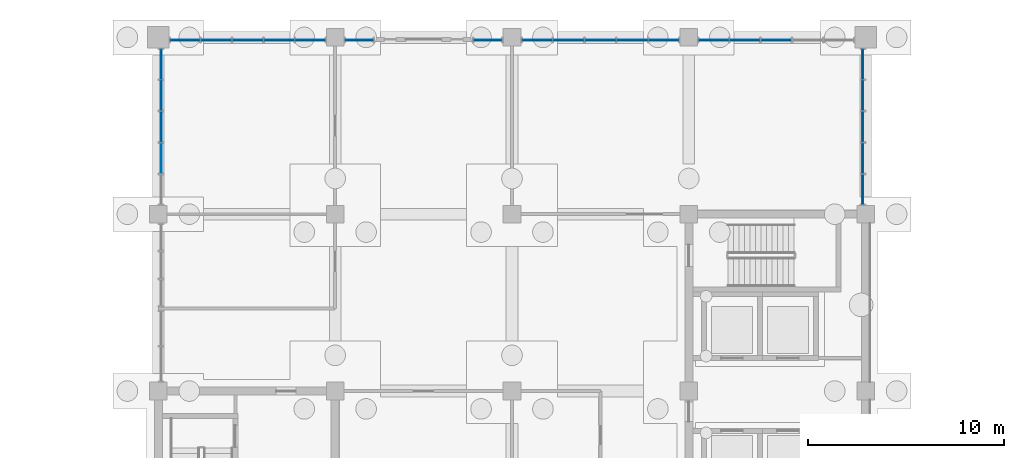
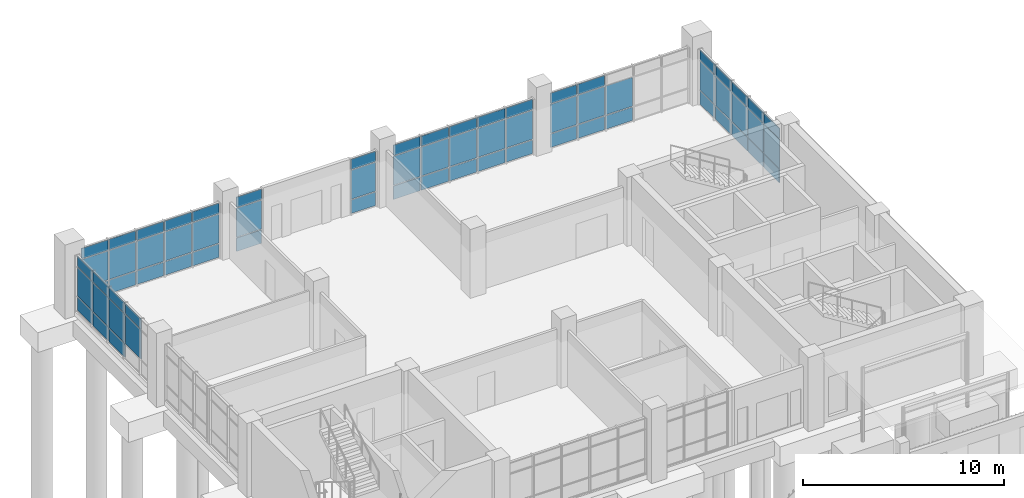
# One storey, part 63 of 106: 70 plates, 7 elements without a shape of their own.
"""IFC4 building model written with IfcOpenShell, lengths in metres."""

import ifcopenshell
import ifcopenshell.guid

model = None  # the IFC model being written
_history = None  # IfcOwnerHistory: only IFC2X3 demands one
_inside = {}  # id of a spatial element -> (the spatial element, [elements in it])
_under = {}  # id of a project, library or spatial element -> (it, [spatial elements below it])
_declared = {}  # id of a project -> (the project, [libraries it declares])
_typed = {}  # id of a type object -> (the type object, [elements of that type])
_made_of = {}  # id of a material, layer set ... -> (it, [elements and type objects made of it])


def new_model(schema):
    """Start an empty IFC model of exactly this schema.

    Asked for "IFC4X3", IfcOpenShell would pick the latest addendum, in which some entities
    have other attributes; the version numbers below select the first issue.
    IFC2X3 requires an IfcOwnerHistory on every rooted entity: one is made here for all.
    """
    global model, _history
    if schema == "IFC4X3":
        model = ifcopenshell.file(schema_version=(4, 3, 0, 0))
    else:
        model = ifcopenshell.file(schema=schema)
    _inside.clear()
    _under.clear()
    _declared.clear()
    _typed.clear()
    _made_of.clear()
    _history = None
    if model.schema == "IFC2X3":
        org = make("IfcOrganization", Name="unknown")
        user = make(
            "IfcPersonAndOrganization",
            ThePerson=make("IfcPerson", FamilyName="unknown"),
            TheOrganization=org,
        )
        app = make(
            "IfcApplication",
            ApplicationDeveloper=org,
            Version="unknown",
            ApplicationFullName="unknown",
            ApplicationIdentifier="unknown",
        )
        _history = make(
            "IfcOwnerHistory",
            OwningUser=user,
            OwningApplication=app,
            ChangeAction="ADDED",
            CreationDate=0,
        )
    return model


def make(cls, **values):
    """One entity of the class cls with the attributes given. An attribute that is None is left unset."""
    return model.create_entity(
        cls, **{name: value for name, value in values.items() if value is not None}
    )


def rooted(cls, **values):
    """An entity with a GlobalId (a new one), such as an element, a storey or a relation."""
    return make(cls, GlobalId=ifcopenshell.guid.new(), OwnerHistory=_history, **values)


def si_unit(unit_type, name, prefix=None):
    """IfcSIUnit, for example si_unit("LENGTHUNIT", "METRE", prefix="MILLI")."""
    return make("IfcSIUnit", UnitType=unit_type, Prefix=prefix, Name=name)


def assignment(units):
    """IfcUnitAssignment: the units of a project."""
    return None if units is None else make("IfcUnitAssignment", Units=units)


def point(xyz):
    """IfcCartesianPoint."""
    return None if xyz is None else make("IfcCartesianPoint", Coordinates=xyz)


def direction(xyz):
    """IfcDirection."""
    return None if xyz is None else make("IfcDirection", DirectionRatios=xyz)


def frame(location, z_axis=None, x_axis=None):
    """IfcAxis2Placement3D, a coordinate frame: its origin and axes. An axis left out is left unset."""
    return make(
        "IfcAxis2Placement3D",
        Location=point(location),
        Axis=direction(z_axis),
        RefDirection=direction(x_axis),
    )


def frame_2d(location, x_axis=None):
    """IfcAxis2Placement2D, a coordinate frame in the plane: its origin and x axis."""
    return make(
        "IfcAxis2Placement2D", Location=point(location), RefDirection=direction(x_axis)
    )


def origin():
    """The frame at (0, 0, 0) with its axes left unset."""
    return frame((0.0, 0.0, 0.0))


def origin_2d():
    """The frame at (0, 0) in the plane with its x axis left unset."""
    return frame_2d((0.0, 0.0))


def place(relative_to, where):
    """IfcLocalPlacement: puts the frame where relative to a parent placement (None: the world)."""
    return make(
        "IfcLocalPlacement", PlacementRelTo=relative_to, RelativePlacement=where
    )


def context(
    kind, dimensions, precision=None, world=None, true_north=None, identifier=None
):
    """IfcGeometricRepresentationContext, for example the 3D "Model" context."""
    return make(
        "IfcGeometricRepresentationContext",
        ContextIdentifier=identifier,
        ContextType=kind,
        CoordinateSpaceDimension=dimensions,
        Precision=precision,
        WorldCoordinateSystem=world,
        TrueNorth=true_north,
    )


def subcontext(parent, identifier, kind, view, scale=None):
    """IfcGeometricRepresentationSubContext, for example "Body" below "Model"."""
    return make(
        "IfcGeometricRepresentationSubContext",
        ContextIdentifier=identifier,
        ContextType=kind,
        ParentContext=parent,
        TargetScale=scale,
        TargetView=view,
    )


def project(units=None, contexts=None):
    """IfcProject with its units and contexts."""
    return rooted(
        "IfcProject",
        Name="project",
        RepresentationContexts=contexts,
        UnitsInContext=assignment(units),
    )


def spatial(cls, under=None, at=None, **own):
    """A site, building, storey or space (cls), placed at a placement, below another one or the project."""
    s = rooted(cls, ObjectPlacement=at, **own)
    if under is not None:
        _under.setdefault(under.id(), (under, []))[1].append(s)
    return s


def profile(cls, at=None, kind="AREA", **sizes):
    """A parametric profile (cls). Its sizes go by their IFC names, for example OverallWidth=200.0."""
    return make(cls, ProfileType=kind, Position=at, **sizes)


def rectangle(**sizes):
    """IfcRectangleProfileDef."""
    return profile("IfcRectangleProfileDef", **sizes)


def extrude(swept, where, along, depth):
    """IfcExtrudedAreaSolid: the profile swept, set in the frame where, extruded along a direction by depth."""
    return make(
        "IfcExtrudedAreaSolid",
        SweptArea=swept,
        Position=where,
        ExtrudedDirection=direction(along),
        Depth=depth,
    )


def shape(context_of_items, identifier, shape_type, items):
    """IfcShapeRepresentation: the items that make up one representation, for example the "Body"."""
    return make(
        "IfcShapeRepresentation",
        ContextOfItems=context_of_items,
        RepresentationIdentifier=identifier,
        RepresentationType=shape_type,
        Items=items,
    )


def material(Name=None, Category=None):
    """IfcMaterial."""
    return make("IfcMaterial", Name=Name, Category=Category)


def layer(
    of_material, thickness, ventilated=None, Name=None, Category=None, Priority=None
):
    """IfcMaterialLayer: one layer of a wall or slab, of a material (None: an air gap)."""
    return make(
        "IfcMaterialLayer",
        Material=of_material,
        LayerThickness=thickness,
        IsVentilated=ventilated,
        Name=Name,
        Category=Category,
        Priority=Priority,
    )


def layer_set(layers, Name=None):
    """IfcMaterialLayerSet."""
    return make("IfcMaterialLayerSet", MaterialLayers=layers, LayerSetName=Name)


def made_of(thing, what):
    """Note that an element or type object is made of a material, layer set ...; save() writes the relation."""
    if what is not None:
        _made_of.setdefault(what.id(), (what, []))[1].append(thing)
    return thing


def type_object(cls, material=None, **own):
    """A type object (cls), such as IfcWallType, which elements share."""
    return made_of(rooted(cls, **own), material)


def element(
    cls,
    number,
    at=None,
    inside=None,
    cuts=None,
    type_object=None,
    material=None,
    context=None,
    identifier="Body",
    shape_type=None,
    held_by="IfcProductDefinitionShape",
    body=None,
    shapes=None,
    **own,
):
    """One element of the class cls, such as IfcWall. Its Tag is "e" and its number.

    at: its placement. inside: the storey or other place that contains it. cuts: it is an
    opening in that element (IfcRelVoidsElement). A single representation is given by context,
    identifier, shape_type and body (its items); several are given by shapes. held_by: the class
    of the entity that holds the representations. save() writes the other relations.
    """
    e = rooted(cls, Tag="e%d" % number, ObjectPlacement=at, **own)
    if body is not None:
        shapes = [shape(context, identifier, shape_type, body)]
    if shapes is not None:
        e.Representation = make(held_by, Representations=shapes)
    if inside is not None:
        _inside.setdefault(inside.id(), (inside, []))[1].append(e)
    if cuts is not None:
        rooted(
            "IfcRelVoidsElement", RelatingBuildingElement=cuts, RelatedOpeningElement=e
        )
    if type_object is not None:
        _typed.setdefault(type_object.id(), (type_object, []))[1].append(e)
    return made_of(e, material)


def aggregate(whole, parts):
    """IfcRelAggregates: a whole, such as a stair, and the parts it consists of."""
    return rooted("IfcRelAggregates", RelatingObject=whole, RelatedObjects=parts)


def save(model, path):
    """Write the relations noted so far, then the file.

    IfcRelAggregates (storeys below a building ...), IfcRelContainedInSpatialStructure (elements
    in a storey), IfcRelDefinesByType, IfcRelAssociatesMaterial and IfcRelDeclares: one each for
    every whole, place, type object, material and project.
    """
    for whole, parts in _under.values():
        aggregate(whole, parts)
    for where, things in _inside.values():
        rooted(
            "IfcRelContainedInSpatialStructure",
            RelatedElements=things,
            RelatingStructure=where,
        )
    for kind, things in _typed.values():
        rooted("IfcRelDefinesByType", RelatedObjects=things, RelatingType=kind)
    for what, things in _made_of.values():
        rooted("IfcRelAssociatesMaterial", RelatedObjects=things, RelatingMaterial=what)
    for by, libraries in _declared.values():
        rooted("IfcRelDeclares", RelatingContext=by, RelatedDefinitions=libraries)
    model.write(path)


model = new_model("IFC4")

# Units and contexts
model_context = context("Model", 3, precision=1e-05, world=origin(), true_north=direction((0.0, 1.0)))
body_context = subcontext(model_context, "Body", "Model", "MODEL_VIEW")
ifc_project = project(units=[si_unit("LENGTHUNIT", "METRE"), si_unit("AREAUNIT", "SQUARE_METRE"), si_unit("VOLUMEUNIT", "CUBIC_METRE"), si_unit("PLANEANGLEUNIT", "RADIAN"), si_unit("MASSUNIT", "GRAM", prefix="KILO")], contexts=[model_context])

# Site, building, storey
site_placement = place(None, origin())
site = spatial("IfcSite", under=ifc_project, at=site_placement, CompositionType="ELEMENT")
building_placement = place(site_placement, origin())
building = spatial("IfcBuilding", under=site, at=building_placement, Name="Merrow Basin Faculty of Sciences", CompositionType="ELEMENT")
storey_placement = place(building_placement, origin())
storey = spatial("IfcBuildingStorey", under=building, at=storey_placement, Name="L00", CompositionType="ELEMENT", Elevation=0.0)

# Curtain wall, plates
ifc_material_1 = material(Name="Aluminium alloy 6063", Category="aluminium")
curtain_wall_type = type_object("IfcCurtainWallType", Name="Tower lobby curtain wall 280", PredefinedType="NOTDEFINED", material=ifc_material_1)
curtain_wall_1_placement = place(storey_placement, origin())
curtain_wall_1 = element("IfcCurtainWall", 1, at=curtain_wall_1_placement, inside=storey, type_object=curtain_wall_type, Name="W curtain wall L00 3", PredefinedType="NOTDEFINED")
ifc_material_2 = material(Name="Insulated aluminium spandrel panel", Category="aluminium")
ifc_layer_1 = layer(ifc_material_2, 0.052001953125)
ifc_layer_set_1 = layer_set([ifc_layer_1], Name="Insulated spandrel panel 52")
plate_type_1 = type_object("IfcPlateType", Name="Insulated spandrel panel 52", PredefinedType="CURTAIN_PANEL", material=ifc_layer_set_1)
plate_1_placement = place(storey_placement, frame((18.139892578125, 164.449951171875, 0.06005859375), z_axis=(0.0, 0.0, 1.0), x_axis=(0.0, 1.0, 0.0)))
plate_1 = element("IfcPlate", 2, at=plate_1_placement, type_object=plate_type_1, Name="CW10 panel 3.1", PredefinedType="CURTAIN_PANEL", context=body_context, shape_type="SweptSolid", body=[
    extrude(rectangle(XDim=1.5400390625, YDim=0.052001953125, at=origin_2d()), origin(), (0.0, 0.0, 1.0), 0.81005859375),
])
plate_2_placement = place(storey_placement, frame((18.139892578125, 166.050048828125, 0.06005859375), z_axis=(0.0, 0.0, 1.0), x_axis=(0.0, 1.0, 0.0)))
plate_2 = element("IfcPlate", 3, at=plate_2_placement, type_object=plate_type_1, Name="CW10 panel 4.1", PredefinedType="CURTAIN_PANEL", context=body_context, shape_type="SweptSolid", body=[
    extrude(rectangle(XDim=1.5400390625, YDim=0.052001953125, at=origin_2d()), origin(), (0.0, 0.0, 1.0), 0.81005859375),
])
plate_3_placement = place(storey_placement, frame((18.139892578125, 167.635009765625, 0.06005859375), z_axis=(0.0, 0.0, 1.0), x_axis=(0.0, 1.0, 0.0)))
plate_3 = element("IfcPlate", 4, at=plate_3_placement, type_object=plate_type_1, Name="CW10 panel 5.1", PredefinedType="CURTAIN_PANEL", context=body_context, shape_type="SweptSolid", body=[
    extrude(rectangle(XDim=1.510009765625, YDim=0.052001953125, at=origin_2d()), origin(), (0.0, 0.0, 1.0), 0.81005859375),
])

curtain_wall_2_placement = place(storey_placement, origin())
curtain_wall_2 = element("IfcCurtainWall", 5, at=curtain_wall_2_placement, inside=storey, type_object=curtain_wall_type, Name="N curtain wall L00 1", PredefinedType="NOTDEFINED")
plate_4_placement = place(storey_placement, frame((19.364990234375, 168.860107421875, 0.06005859375), z_axis=(0.0, 0.0, 1.0), x_axis=(1.0, 0.0, 0.0)))
plate_4 = element("IfcPlate", 6, at=plate_4_placement, type_object=plate_type_1, Name="CW10 panel 1.1", PredefinedType="CURTAIN_PANEL", context=body_context, shape_type="SweptSolid", body=[
    extrude(rectangle(XDim=1.510009765625, YDim=0.052001953125, at=origin_2d()), origin(), (0.0, 0.0, 1.0), 0.81005859375),
])
plate_5_placement = place(storey_placement, frame((20.949951171875, 168.860107421875, 0.06005859375), z_axis=(0.0, 0.0, 1.0), x_axis=(1.0, 0.0, 0.0)))
plate_5 = element("IfcPlate", 7, at=plate_5_placement, type_object=plate_type_1, Name="CW10 panel 2.1", PredefinedType="CURTAIN_PANEL", context=body_context, shape_type="SweptSolid", body=[
    extrude(rectangle(XDim=1.5400390625, YDim=0.052001953125, at=origin_2d()), origin(), (0.0, 0.0, 1.0), 0.81005859375),
])
plate_6_placement = place(storey_placement, frame((22.550048828125, 168.860107421875, 0.06005859375), z_axis=(0.0, 0.0, 1.0), x_axis=(1.0, 0.0, 0.0)))
plate_6 = element("IfcPlate", 8, at=plate_6_placement, type_object=plate_type_1, Name="CW10 panel 3.1", PredefinedType="CURTAIN_PANEL", context=body_context, shape_type="SweptSolid", body=[
    extrude(rectangle(XDim=1.5400390625, YDim=0.052001953125, at=origin_2d()), origin(), (0.0, 0.0, 1.0), 0.81005859375),
])
plate_7_placement = place(storey_placement, frame((24.14990234375, 168.860107421875, 0.06005859375), z_axis=(0.0, 0.0, 1.0), x_axis=(1.0, 0.0, 0.0)))
plate_7 = element("IfcPlate", 9, at=plate_7_placement, type_object=plate_type_1, Name="CW10 panel 4.1", PredefinedType="CURTAIN_PANEL", context=body_context, shape_type="SweptSolid", body=[
    extrude(rectangle(XDim=1.5400390625, YDim=0.052001953125, at=origin_2d()), origin(), (0.0, 0.0, 1.0), 0.81005859375),
])
plate_8_placement = place(storey_placement, frame((25.735107421875, 168.860107421875, 0.06005859375), z_axis=(0.0, 0.0, 1.0), x_axis=(1.0, 0.0, 0.0)))
plate_8 = element("IfcPlate", 10, at=plate_8_placement, type_object=plate_type_1, Name="CW10 panel 5.1", PredefinedType="CURTAIN_PANEL", context=body_context, shape_type="SweptSolid", body=[
    extrude(rectangle(XDim=1.510009765625, YDim=0.052001953125, at=origin_2d()), origin(), (0.0, 0.0, 1.0), 0.81005859375),
])

# Curtain wall, plate
curtain_wall_3_placement = place(storey_placement, origin())
curtain_wall_3 = element("IfcCurtainWall", 11, at=curtain_wall_3_placement, inside=storey, type_object=curtain_wall_type, Name="N curtain wall L00 2", PredefinedType="NOTDEFINED")
plate_9_placement = place(storey_placement, frame((28.22509765625, 168.860107421875, 0.06005859375), z_axis=(0.0, 0.0, 1.0), x_axis=(1.0, 0.0, 0.0)))
plate_9 = element("IfcPlate", 12, at=plate_9_placement, type_object=plate_type_1, Name="CW10 panel 1.1", PredefinedType="CURTAIN_PANEL", context=body_context, shape_type="SweptSolid", body=[
    extrude(rectangle(XDim=1.429931640625, YDim=0.052001953125, at=origin_2d()), origin(), (0.0, 0.0, 1.0), 0.81005859375),
])

curtain_wall_4_placement = place(storey_placement, origin())
curtain_wall_4 = element("IfcCurtainWall", 13, at=curtain_wall_4_placement, inside=storey, type_object=curtain_wall_type, Name="N curtain wall L00 3", PredefinedType="NOTDEFINED")
plate_10_placement = place(storey_placement, frame((34.77490234375, 168.860107421875, 0.06005859375), z_axis=(0.0, 0.0, 1.0), x_axis=(1.0, 0.0, 0.0)))
plate_10 = element("IfcPlate", 14, at=plate_10_placement, type_object=plate_type_1, Name="CW10 panel 1.1", PredefinedType="CURTAIN_PANEL", context=body_context, shape_type="SweptSolid", body=[
    extrude(rectangle(XDim=1.429931640625, YDim=0.052001953125, at=origin_2d()), origin(), (0.0, 0.0, 1.0), 0.81005859375),
])

# Curtain wall, plates
curtain_wall_5_placement = place(storey_placement, origin())
curtain_wall_5 = element("IfcCurtainWall", 15, at=curtain_wall_5_placement, inside=storey, type_object=curtain_wall_type, Name="N curtain wall L00 4", PredefinedType="NOTDEFINED")
plate_11_placement = place(storey_placement, frame((37.27490234375, 168.860107421875, 0.06005859375), z_axis=(0.0, 0.0, 1.0), x_axis=(1.0, 0.0, 0.0)))
plate_11 = element("IfcPlate", 16, at=plate_11_placement, type_object=plate_type_1, Name="CW10 panel 1.1", PredefinedType="CURTAIN_PANEL", context=body_context, shape_type="SweptSolid", body=[
    extrude(rectangle(XDim=1.530029296875, YDim=0.052001953125, at=origin_2d()), origin(), (0.0, 0.0, 1.0), 0.81005859375),
])
plate_12_placement = place(storey_placement, frame((38.8798828125, 168.860107421875, 0.06005859375), z_axis=(0.0, 0.0, 1.0), x_axis=(1.0, 0.0, 0.0)))
plate_12 = element("IfcPlate", 17, at=plate_12_placement, type_object=plate_type_1, Name="CW10 panel 2.1", PredefinedType="CURTAIN_PANEL", context=body_context, shape_type="SweptSolid", body=[
    extrude(rectangle(XDim=1.56005859375, YDim=0.052001953125, at=origin_2d()), origin(), (0.0, 0.0, 1.0), 0.81005859375),
])
plate_13_placement = place(storey_placement, frame((40.5, 168.860107421875, 0.06005859375), z_axis=(0.0, 0.0, 1.0), x_axis=(1.0, 0.0, 0.0)))
plate_13 = element("IfcPlate", 18, at=plate_13_placement, type_object=plate_type_1, Name="CW10 panel 3.1", PredefinedType="CURTAIN_PANEL", context=body_context, shape_type="SweptSolid", body=[
    extrude(rectangle(XDim=1.56005859375, YDim=0.052001953125, at=origin_2d()), origin(), (0.0, 0.0, 1.0), 0.81005859375),
])
plate_14_placement = place(storey_placement, frame((42.1201171875, 168.860107421875, 0.06005859375), z_axis=(0.0, 0.0, 1.0), x_axis=(1.0, 0.0, 0.0)))
plate_14 = element("IfcPlate", 19, at=plate_14_placement, type_object=plate_type_1, Name="CW10 panel 4.1", PredefinedType="CURTAIN_PANEL", context=body_context, shape_type="SweptSolid", body=[
    extrude(rectangle(XDim=1.56005859375, YDim=0.052001953125, at=origin_2d()), origin(), (0.0, 0.0, 1.0), 0.81005859375),
])
plate_15_placement = place(storey_placement, frame((43.72509765625, 168.860107421875, 0.06005859375), z_axis=(0.0, 0.0, 1.0), x_axis=(1.0, 0.0, 0.0)))
plate_15 = element("IfcPlate", 20, at=plate_15_placement, type_object=plate_type_1, Name="CW10 panel 5.1", PredefinedType="CURTAIN_PANEL", context=body_context, shape_type="SweptSolid", body=[
    extrude(rectangle(XDim=1.530029296875, YDim=0.052001953125, at=origin_2d()), origin(), (0.0, 0.0, 1.0), 0.81005859375),
])

curtain_wall_6_placement = place(storey_placement, origin())
curtain_wall_6 = element("IfcCurtainWall", 21, at=curtain_wall_6_placement, inside=storey, type_object=curtain_wall_type, Name="N curtain wall L00 5", PredefinedType="NOTDEFINED")
plate_16_placement = place(storey_placement, frame((46.264892578125, 168.860107421875, 0.06005859375), z_axis=(0.0, 0.0, 1.0), x_axis=(1.0, 0.0, 0.0)))
plate_16 = element("IfcPlate", 22, at=plate_16_placement, type_object=plate_type_1, Name="CW10 panel 1.1", PredefinedType="CURTAIN_PANEL", context=body_context, shape_type="SweptSolid", body=[
    extrude(rectangle(XDim=1.510009765625, YDim=0.052001953125, at=origin_2d()), origin(), (0.0, 0.0, 1.0), 0.81005859375),
])
plate_17_placement = place(storey_placement, frame((47.85009765625, 168.860107421875, 0.06005859375), z_axis=(0.0, 0.0, 1.0), x_axis=(1.0, 0.0, 0.0)))
plate_17 = element("IfcPlate", 23, at=plate_17_placement, type_object=plate_type_1, Name="CW10 panel 2.1", PredefinedType="CURTAIN_PANEL", context=body_context, shape_type="SweptSolid", body=[
    extrude(rectangle(XDim=1.5400390625, YDim=0.052001953125, at=origin_2d()), origin(), (0.0, 0.0, 1.0), 0.81005859375),
])
plate_18_placement = place(storey_placement, frame((49.449951171875, 168.860107421875, 0.06005859375), z_axis=(0.0, 0.0, 1.0), x_axis=(1.0, 0.0, 0.0)))
plate_18 = element("IfcPlate", 24, at=plate_18_placement, type_object=plate_type_1, Name="CW10 panel 3.1", PredefinedType="CURTAIN_PANEL", context=body_context, shape_type="SweptSolid", body=[
    extrude(rectangle(XDim=1.5400390625, YDim=0.052001953125, at=origin_2d()), origin(), (0.0, 0.0, 1.0), 0.81005859375),
])

curtain_wall_7_placement = place(storey_placement, origin())
curtain_wall_7 = element("IfcCurtainWall", 25, at=curtain_wall_7_placement, inside=storey, type_object=curtain_wall_type, Name="E curtain wall L00 1", PredefinedType="NOTDEFINED")
plate_19_placement = place(storey_placement, frame((53.860107421875, 161.264892578125, 0.06005859375), z_axis=(0.0, 0.0, 1.0), x_axis=(0.0, 1.0, 0.0)))
plate_19 = element("IfcPlate", 26, at=plate_19_placement, type_object=plate_type_1, Name="CW10 panel 1.1", PredefinedType="CURTAIN_PANEL", context=body_context, shape_type="SweptSolid", body=[
    extrude(rectangle(XDim=1.510009765625, YDim=0.052001953125, at=origin_2d()), origin(), (0.0, 0.0, 1.0), 0.81005859375),
])
plate_20_placement = place(storey_placement, frame((53.860107421875, 162.85009765625, 0.06005859375), z_axis=(0.0, 0.0, 1.0), x_axis=(0.0, 1.0, 0.0)))
plate_20 = element("IfcPlate", 27, at=plate_20_placement, type_object=plate_type_1, Name="CW10 panel 2.1", PredefinedType="CURTAIN_PANEL", context=body_context, shape_type="SweptSolid", body=[
    extrude(rectangle(XDim=1.5400390625, YDim=0.052001953125, at=origin_2d()), origin(), (0.0, 0.0, 1.0), 0.81005859375),
])
plate_21_placement = place(storey_placement, frame((53.860107421875, 164.449951171875, 0.06005859375), z_axis=(0.0, 0.0, 1.0), x_axis=(0.0, 1.0, 0.0)))
plate_21 = element("IfcPlate", 28, at=plate_21_placement, type_object=plate_type_1, Name="CW10 panel 3.1", PredefinedType="CURTAIN_PANEL", context=body_context, shape_type="SweptSolid", body=[
    extrude(rectangle(XDim=1.5400390625, YDim=0.052001953125, at=origin_2d()), origin(), (0.0, 0.0, 1.0), 0.81005859375),
])
plate_22_placement = place(storey_placement, frame((53.860107421875, 166.050048828125, 0.06005859375), z_axis=(0.0, 0.0, 1.0), x_axis=(0.0, 1.0, 0.0)))
plate_22 = element("IfcPlate", 29, at=plate_22_placement, type_object=plate_type_1, Name="CW10 panel 4.1", PredefinedType="CURTAIN_PANEL", context=body_context, shape_type="SweptSolid", body=[
    extrude(rectangle(XDim=1.5400390625, YDim=0.052001953125, at=origin_2d()), origin(), (0.0, 0.0, 1.0), 0.81005859375),
])
plate_23_placement = place(storey_placement, frame((53.860107421875, 167.635009765625, 0.06005859375), z_axis=(0.0, 0.0, 1.0), x_axis=(0.0, 1.0, 0.0)))
plate_23 = element("IfcPlate", 30, at=plate_23_placement, type_object=plate_type_1, Name="CW10 panel 5.1", PredefinedType="CURTAIN_PANEL", context=body_context, shape_type="SweptSolid", body=[
    extrude(rectangle(XDim=1.510009765625, YDim=0.052001953125, at=origin_2d()), origin(), (0.0, 0.0, 1.0), 0.81005859375),
])

# Plate
ifc_material_3 = material(Name="Laminated safety glass", Category="glass")
ifc_layer_2 = layer(ifc_material_3, 0.048095703125)
ifc_layer_set_2 = layer_set([ifc_layer_2], Name="Laminated triple glazed panel 48")
plate_type_2 = type_object("IfcPlateType", Name="Laminated triple glazed panel 48", PredefinedType="CURTAIN_PANEL", material=ifc_layer_set_2)
plate_24_placement = place(storey_placement, frame((18.139892578125, 162.85009765625, 0.93017578125), z_axis=(0.0, 0.0, 1.0), x_axis=(0.0, 1.0, 0.0)))
plate_24 = element("IfcPlate", 31, at=plate_24_placement, type_object=plate_type_2, Name="CW10 panel 2.2", PredefinedType="CURTAIN_PANEL", context=body_context, shape_type="SweptSolid", body=[
    extrude(rectangle(XDim=1.5400390625, YDim=0.048095703125, at=origin_2d()), origin(), (0.0, 0.0, 1.0), 1.739990234375),
])

plate_25_placement = place(storey_placement, frame((18.139892578125, 162.85009765625, 2.72998046875), z_axis=(0.0, 0.0, 1.0), x_axis=(0.0, 1.0, 0.0)))
plate_25 = element("IfcPlate", 32, at=plate_25_placement, type_object=plate_type_2, Name="CW10 panel 2.3", PredefinedType="CURTAIN_PANEL", context=body_context, shape_type="SweptSolid", body=[
    extrude(rectangle(XDim=1.5400390625, YDim=0.048095703125, at=origin_2d()), origin(), (0.0, 0.0, 1.0), 0.610107421875),
])

plate_26_placement = place(storey_placement, frame((18.139892578125, 164.449951171875, 0.93017578125), z_axis=(0.0, 0.0, 1.0), x_axis=(0.0, 1.0, 0.0)))
plate_26 = element("IfcPlate", 33, at=plate_26_placement, type_object=plate_type_2, Name="CW10 panel 3.2", PredefinedType="CURTAIN_PANEL", context=body_context, shape_type="SweptSolid", body=[
    extrude(rectangle(XDim=1.5400390625, YDim=0.048095703125, at=origin_2d()), origin(), (0.0, 0.0, 1.0), 1.739990234375),
])

plate_27_placement = place(storey_placement, frame((18.139892578125, 164.449951171875, 2.72998046875), z_axis=(0.0, 0.0, 1.0), x_axis=(0.0, 1.0, 0.0)))
plate_27 = element("IfcPlate", 34, at=plate_27_placement, type_object=plate_type_2, Name="CW10 panel 3.3", PredefinedType="CURTAIN_PANEL", context=body_context, shape_type="SweptSolid", body=[
    extrude(rectangle(XDim=1.5400390625, YDim=0.048095703125, at=origin_2d()), origin(), (0.0, 0.0, 1.0), 0.610107421875),
])

plate_28_placement = place(storey_placement, frame((18.139892578125, 166.050048828125, 0.93017578125), z_axis=(0.0, 0.0, 1.0), x_axis=(0.0, 1.0, 0.0)))
plate_28 = element("IfcPlate", 35, at=plate_28_placement, type_object=plate_type_2, Name="CW10 panel 4.2", PredefinedType="CURTAIN_PANEL", context=body_context, shape_type="SweptSolid", body=[
    extrude(rectangle(XDim=1.5400390625, YDim=0.048095703125, at=origin_2d()), origin(), (0.0, 0.0, 1.0), 1.739990234375),
])

plate_29_placement = place(storey_placement, frame((18.139892578125, 166.050048828125, 2.72998046875), z_axis=(0.0, 0.0, 1.0), x_axis=(0.0, 1.0, 0.0)))
plate_29 = element("IfcPlate", 36, at=plate_29_placement, type_object=plate_type_2, Name="CW10 panel 4.3", PredefinedType="CURTAIN_PANEL", context=body_context, shape_type="SweptSolid", body=[
    extrude(rectangle(XDim=1.5400390625, YDim=0.048095703125, at=origin_2d()), origin(), (0.0, 0.0, 1.0), 0.610107421875),
])

plate_30_placement = place(storey_placement, frame((18.139892578125, 167.635009765625, 0.93017578125), z_axis=(0.0, 0.0, 1.0), x_axis=(0.0, 1.0, 0.0)))
plate_30 = element("IfcPlate", 37, at=plate_30_placement, type_object=plate_type_2, Name="CW10 panel 5.2", PredefinedType="CURTAIN_PANEL", context=body_context, shape_type="SweptSolid", body=[
    extrude(rectangle(XDim=1.510009765625, YDim=0.048095703125, at=origin_2d()), origin(), (0.0, 0.0, 1.0), 1.739990234375),
])

plate_31_placement = place(storey_placement, frame((18.139892578125, 167.635009765625, 2.72998046875), z_axis=(0.0, 0.0, 1.0), x_axis=(0.0, 1.0, 0.0)))
plate_31 = element("IfcPlate", 38, at=plate_31_placement, type_object=plate_type_2, Name="CW10 panel 5.3", PredefinedType="CURTAIN_PANEL", context=body_context, shape_type="SweptSolid", body=[
    extrude(rectangle(XDim=1.510009765625, YDim=0.048095703125, at=origin_2d()), origin(), (0.0, 0.0, 1.0), 0.610107421875),
])

aggregate(curtain_wall_1, [plate_24, plate_25, plate_1, plate_26, plate_27, plate_2, plate_28, plate_29, plate_3, plate_30, plate_31])

plate_32_placement = place(storey_placement, frame((19.364990234375, 168.860107421875, 0.93017578125), z_axis=(0.0, 0.0, 1.0), x_axis=(1.0, 0.0, 0.0)))
plate_32 = element("IfcPlate", 39, at=plate_32_placement, type_object=plate_type_2, Name="CW10 panel 1.2", PredefinedType="CURTAIN_PANEL", context=body_context, shape_type="SweptSolid", body=[
    extrude(rectangle(XDim=1.510009765625, YDim=0.048095703125, at=origin_2d()), origin(), (0.0, 0.0, 1.0), 1.739990234375),
])

plate_33_placement = place(storey_placement, frame((19.364990234375, 168.860107421875, 2.72998046875), z_axis=(0.0, 0.0, 1.0), x_axis=(1.0, 0.0, 0.0)))
plate_33 = element("IfcPlate", 40, at=plate_33_placement, type_object=plate_type_2, Name="CW10 panel 1.3", PredefinedType="CURTAIN_PANEL", context=body_context, shape_type="SweptSolid", body=[
    extrude(rectangle(XDim=1.510009765625, YDim=0.048095703125, at=origin_2d()), origin(), (0.0, 0.0, 1.0), 0.610107421875),
])

plate_34_placement = place(storey_placement, frame((20.949951171875, 168.860107421875, 0.93017578125), z_axis=(0.0, 0.0, 1.0), x_axis=(1.0, 0.0, 0.0)))
plate_34 = element("IfcPlate", 41, at=plate_34_placement, type_object=plate_type_2, Name="CW10 panel 2.2", PredefinedType="CURTAIN_PANEL", context=body_context, shape_type="SweptSolid", body=[
    extrude(rectangle(XDim=1.5400390625, YDim=0.048095703125, at=origin_2d()), origin(), (0.0, 0.0, 1.0), 1.739990234375),
])

plate_35_placement = place(storey_placement, frame((20.949951171875, 168.860107421875, 2.72998046875), z_axis=(0.0, 0.0, 1.0), x_axis=(1.0, 0.0, 0.0)))
plate_35 = element("IfcPlate", 42, at=plate_35_placement, type_object=plate_type_2, Name="CW10 panel 2.3", PredefinedType="CURTAIN_PANEL", context=body_context, shape_type="SweptSolid", body=[
    extrude(rectangle(XDim=1.5400390625, YDim=0.048095703125, at=origin_2d()), origin(), (0.0, 0.0, 1.0), 0.610107421875),
])

plate_36_placement = place(storey_placement, frame((22.550048828125, 168.860107421875, 0.93017578125), z_axis=(0.0, 0.0, 1.0), x_axis=(1.0, 0.0, 0.0)))
plate_36 = element("IfcPlate", 43, at=plate_36_placement, type_object=plate_type_2, Name="CW10 panel 3.2", PredefinedType="CURTAIN_PANEL", context=body_context, shape_type="SweptSolid", body=[
    extrude(rectangle(XDim=1.5400390625, YDim=0.048095703125, at=origin_2d()), origin(), (0.0, 0.0, 1.0), 1.739990234375),
])

plate_37_placement = place(storey_placement, frame((22.550048828125, 168.860107421875, 2.72998046875), z_axis=(0.0, 0.0, 1.0), x_axis=(1.0, 0.0, 0.0)))
plate_37 = element("IfcPlate", 44, at=plate_37_placement, type_object=plate_type_2, Name="CW10 panel 3.3", PredefinedType="CURTAIN_PANEL", context=body_context, shape_type="SweptSolid", body=[
    extrude(rectangle(XDim=1.5400390625, YDim=0.048095703125, at=origin_2d()), origin(), (0.0, 0.0, 1.0), 0.610107421875),
])

plate_38_placement = place(storey_placement, frame((24.14990234375, 168.860107421875, 0.93017578125), z_axis=(0.0, 0.0, 1.0), x_axis=(1.0, 0.0, 0.0)))
plate_38 = element("IfcPlate", 45, at=plate_38_placement, type_object=plate_type_2, Name="CW10 panel 4.2", PredefinedType="CURTAIN_PANEL", context=body_context, shape_type="SweptSolid", body=[
    extrude(rectangle(XDim=1.5400390625, YDim=0.048095703125, at=origin_2d()), origin(), (0.0, 0.0, 1.0), 1.739990234375),
])

plate_39_placement = place(storey_placement, frame((24.14990234375, 168.860107421875, 2.72998046875), z_axis=(0.0, 0.0, 1.0), x_axis=(1.0, 0.0, 0.0)))
plate_39 = element("IfcPlate", 46, at=plate_39_placement, type_object=plate_type_2, Name="CW10 panel 4.3", PredefinedType="CURTAIN_PANEL", context=body_context, shape_type="SweptSolid", body=[
    extrude(rectangle(XDim=1.5400390625, YDim=0.048095703125, at=origin_2d()), origin(), (0.0, 0.0, 1.0), 0.610107421875),
])

plate_40_placement = place(storey_placement, frame((25.735107421875, 168.860107421875, 0.93017578125), z_axis=(0.0, 0.0, 1.0), x_axis=(1.0, 0.0, 0.0)))
plate_40 = element("IfcPlate", 47, at=plate_40_placement, type_object=plate_type_2, Name="CW10 panel 5.2", PredefinedType="CURTAIN_PANEL", context=body_context, shape_type="SweptSolid", body=[
    extrude(rectangle(XDim=1.510009765625, YDim=0.048095703125, at=origin_2d()), origin(), (0.0, 0.0, 1.0), 1.739990234375),
])

plate_41_placement = place(storey_placement, frame((25.735107421875, 168.860107421875, 2.72998046875), z_axis=(0.0, 0.0, 1.0), x_axis=(1.0, 0.0, 0.0)))
plate_41 = element("IfcPlate", 48, at=plate_41_placement, type_object=plate_type_2, Name="CW10 panel 5.3", PredefinedType="CURTAIN_PANEL", context=body_context, shape_type="SweptSolid", body=[
    extrude(rectangle(XDim=1.510009765625, YDim=0.048095703125, at=origin_2d()), origin(), (0.0, 0.0, 1.0), 0.610107421875),
])

aggregate(curtain_wall_2, [plate_4, plate_32, plate_33, plate_5, plate_34, plate_35, plate_6, plate_36, plate_37, plate_7, plate_38, plate_39, plate_8, plate_40, plate_41])

plate_42_placement = place(storey_placement, frame((28.22509765625, 168.860107421875, 0.93017578125), z_axis=(0.0, 0.0, 1.0), x_axis=(1.0, 0.0, 0.0)))
plate_42 = element("IfcPlate", 49, at=plate_42_placement, type_object=plate_type_2, Name="CW10 panel 1.2", PredefinedType="CURTAIN_PANEL", context=body_context, shape_type="SweptSolid", body=[
    extrude(rectangle(XDim=1.429931640625, YDim=0.048095703125, at=origin_2d()), origin(), (0.0, 0.0, 1.0), 1.739990234375),
])

plate_43_placement = place(storey_placement, frame((28.22509765625, 168.860107421875, 2.72998046875), z_axis=(0.0, 0.0, 1.0), x_axis=(1.0, 0.0, 0.0)))
plate_43 = element("IfcPlate", 50, at=plate_43_placement, type_object=plate_type_2, Name="CW10 panel 1.3", PredefinedType="CURTAIN_PANEL", context=body_context, shape_type="SweptSolid", body=[
    extrude(rectangle(XDim=1.429931640625, YDim=0.048095703125, at=origin_2d()), origin(), (0.0, 0.0, 1.0), 0.610107421875),
])

aggregate(curtain_wall_3, [plate_9, plate_42, plate_43])

plate_44_placement = place(storey_placement, frame((34.77490234375, 168.860107421875, 0.93017578125), z_axis=(0.0, 0.0, 1.0), x_axis=(1.0, 0.0, 0.0)))
plate_44 = element("IfcPlate", 51, at=plate_44_placement, type_object=plate_type_2, Name="CW10 panel 1.2", PredefinedType="CURTAIN_PANEL", context=body_context, shape_type="SweptSolid", body=[
    extrude(rectangle(XDim=1.429931640625, YDim=0.048095703125, at=origin_2d()), origin(), (0.0, 0.0, 1.0), 1.739990234375),
])

plate_45_placement = place(storey_placement, frame((34.77490234375, 168.860107421875, 2.72998046875), z_axis=(0.0, 0.0, 1.0), x_axis=(1.0, 0.0, 0.0)))
plate_45 = element("IfcPlate", 52, at=plate_45_placement, type_object=plate_type_2, Name="CW10 panel 1.3", PredefinedType="CURTAIN_PANEL", context=body_context, shape_type="SweptSolid", body=[
    extrude(rectangle(XDim=1.429931640625, YDim=0.048095703125, at=origin_2d()), origin(), (0.0, 0.0, 1.0), 0.610107421875),
])

aggregate(curtain_wall_4, [plate_10, plate_44, plate_45])

plate_46_placement = place(storey_placement, frame((37.27490234375, 168.860107421875, 0.93017578125), z_axis=(0.0, 0.0, 1.0), x_axis=(1.0, 0.0, 0.0)))
plate_46 = element("IfcPlate", 53, at=plate_46_placement, type_object=plate_type_2, Name="CW10 panel 1.2", PredefinedType="CURTAIN_PANEL", context=body_context, shape_type="SweptSolid", body=[
    extrude(rectangle(XDim=1.530029296875, YDim=0.048095703125, at=origin_2d()), origin(), (0.0, 0.0, 1.0), 1.739990234375),
])

plate_47_placement = place(storey_placement, frame((37.27490234375, 168.860107421875, 2.72998046875), z_axis=(0.0, 0.0, 1.0), x_axis=(1.0, 0.0, 0.0)))
plate_47 = element("IfcPlate", 54, at=plate_47_placement, type_object=plate_type_2, Name="CW10 panel 1.3", PredefinedType="CURTAIN_PANEL", context=body_context, shape_type="SweptSolid", body=[
    extrude(rectangle(XDim=1.530029296875, YDim=0.048095703125, at=origin_2d()), origin(), (0.0, 0.0, 1.0), 0.610107421875),
])

plate_48_placement = place(storey_placement, frame((38.8798828125, 168.860107421875, 0.93017578125), z_axis=(0.0, 0.0, 1.0), x_axis=(1.0, 0.0, 0.0)))
plate_48 = element("IfcPlate", 55, at=plate_48_placement, type_object=plate_type_2, Name="CW10 panel 2.2", PredefinedType="CURTAIN_PANEL", context=body_context, shape_type="SweptSolid", body=[
    extrude(rectangle(XDim=1.56005859375, YDim=0.048095703125, at=origin_2d()), origin(), (0.0, 0.0, 1.0), 1.739990234375),
])

plate_49_placement = place(storey_placement, frame((38.8798828125, 168.860107421875, 2.72998046875), z_axis=(0.0, 0.0, 1.0), x_axis=(1.0, 0.0, 0.0)))
plate_49 = element("IfcPlate", 56, at=plate_49_placement, type_object=plate_type_2, Name="CW10 panel 2.3", PredefinedType="CURTAIN_PANEL", context=body_context, shape_type="SweptSolid", body=[
    extrude(rectangle(XDim=1.56005859375, YDim=0.048095703125, at=origin_2d()), origin(), (0.0, 0.0, 1.0), 0.610107421875),
])

plate_50_placement = place(storey_placement, frame((40.5, 168.860107421875, 0.93017578125), z_axis=(0.0, 0.0, 1.0), x_axis=(1.0, 0.0, 0.0)))
plate_50 = element("IfcPlate", 57, at=plate_50_placement, type_object=plate_type_2, Name="CW10 panel 3.2", PredefinedType="CURTAIN_PANEL", context=body_context, shape_type="SweptSolid", body=[
    extrude(rectangle(XDim=1.56005859375, YDim=0.048095703125, at=origin_2d()), origin(), (0.0, 0.0, 1.0), 1.739990234375),
])

plate_51_placement = place(storey_placement, frame((40.5, 168.860107421875, 2.72998046875), z_axis=(0.0, 0.0, 1.0), x_axis=(1.0, 0.0, 0.0)))
plate_51 = element("IfcPlate", 58, at=plate_51_placement, type_object=plate_type_2, Name="CW10 panel 3.3", PredefinedType="CURTAIN_PANEL", context=body_context, shape_type="SweptSolid", body=[
    extrude(rectangle(XDim=1.56005859375, YDim=0.048095703125, at=origin_2d()), origin(), (0.0, 0.0, 1.0), 0.610107421875),
])

plate_52_placement = place(storey_placement, frame((42.1201171875, 168.860107421875, 0.93017578125), z_axis=(0.0, 0.0, 1.0), x_axis=(1.0, 0.0, 0.0)))
plate_52 = element("IfcPlate", 59, at=plate_52_placement, type_object=plate_type_2, Name="CW10 panel 4.2", PredefinedType="CURTAIN_PANEL", context=body_context, shape_type="SweptSolid", body=[
    extrude(rectangle(XDim=1.56005859375, YDim=0.048095703125, at=origin_2d()), origin(), (0.0, 0.0, 1.0), 1.739990234375),
])

plate_53_placement = place(storey_placement, frame((42.1201171875, 168.860107421875, 2.72998046875), z_axis=(0.0, 0.0, 1.0), x_axis=(1.0, 0.0, 0.0)))
plate_53 = element("IfcPlate", 60, at=plate_53_placement, type_object=plate_type_2, Name="CW10 panel 4.3", PredefinedType="CURTAIN_PANEL", context=body_context, shape_type="SweptSolid", body=[
    extrude(rectangle(XDim=1.56005859375, YDim=0.048095703125, at=origin_2d()), origin(), (0.0, 0.0, 1.0), 0.610107421875),
])

plate_54_placement = place(storey_placement, frame((43.72509765625, 168.860107421875, 0.93017578125), z_axis=(0.0, 0.0, 1.0), x_axis=(1.0, 0.0, 0.0)))
plate_54 = element("IfcPlate", 61, at=plate_54_placement, type_object=plate_type_2, Name="CW10 panel 5.2", PredefinedType="CURTAIN_PANEL", context=body_context, shape_type="SweptSolid", body=[
    extrude(rectangle(XDim=1.530029296875, YDim=0.048095703125, at=origin_2d()), origin(), (0.0, 0.0, 1.0), 1.739990234375),
])

plate_55_placement = place(storey_placement, frame((43.72509765625, 168.860107421875, 2.72998046875), z_axis=(0.0, 0.0, 1.0), x_axis=(1.0, 0.0, 0.0)))
plate_55 = element("IfcPlate", 62, at=plate_55_placement, type_object=plate_type_2, Name="CW10 panel 5.3", PredefinedType="CURTAIN_PANEL", context=body_context, shape_type="SweptSolid", body=[
    extrude(rectangle(XDim=1.530029296875, YDim=0.048095703125, at=origin_2d()), origin(), (0.0, 0.0, 1.0), 0.610107421875),
])

aggregate(curtain_wall_5, [plate_11, plate_46, plate_47, plate_12, plate_48, plate_49, plate_13, plate_50, plate_51, plate_14, plate_52, plate_53, plate_15, plate_54, plate_55])

plate_56_placement = place(storey_placement, frame((46.264892578125, 168.860107421875, 0.93017578125), z_axis=(0.0, 0.0, 1.0), x_axis=(1.0, 0.0, 0.0)))
plate_56 = element("IfcPlate", 63, at=plate_56_placement, type_object=plate_type_2, Name="CW10 panel 1.2", PredefinedType="CURTAIN_PANEL", context=body_context, shape_type="SweptSolid", body=[
    extrude(rectangle(XDim=1.510009765625, YDim=0.048095703125, at=origin_2d()), origin(), (0.0, 0.0, 1.0), 1.739990234375),
])

plate_57_placement = place(storey_placement, frame((46.264892578125, 168.860107421875, 2.72998046875), z_axis=(0.0, 0.0, 1.0), x_axis=(1.0, 0.0, 0.0)))
plate_57 = element("IfcPlate", 64, at=plate_57_placement, type_object=plate_type_2, Name="CW10 panel 1.3", PredefinedType="CURTAIN_PANEL", context=body_context, shape_type="SweptSolid", body=[
    extrude(rectangle(XDim=1.510009765625, YDim=0.048095703125, at=origin_2d()), origin(), (0.0, 0.0, 1.0), 0.610107421875),
])

plate_58_placement = place(storey_placement, frame((47.85009765625, 168.860107421875, 0.93017578125), z_axis=(0.0, 0.0, 1.0), x_axis=(1.0, 0.0, 0.0)))
plate_58 = element("IfcPlate", 65, at=plate_58_placement, type_object=plate_type_2, Name="CW10 panel 2.2", PredefinedType="CURTAIN_PANEL", context=body_context, shape_type="SweptSolid", body=[
    extrude(rectangle(XDim=1.5400390625, YDim=0.048095703125, at=origin_2d()), origin(), (0.0, 0.0, 1.0), 1.739990234375),
])

plate_59_placement = place(storey_placement, frame((47.85009765625, 168.860107421875, 2.72998046875), z_axis=(0.0, 0.0, 1.0), x_axis=(1.0, 0.0, 0.0)))
plate_59 = element("IfcPlate", 66, at=plate_59_placement, type_object=plate_type_2, Name="CW10 panel 2.3", PredefinedType="CURTAIN_PANEL", context=body_context, shape_type="SweptSolid", body=[
    extrude(rectangle(XDim=1.5400390625, YDim=0.048095703125, at=origin_2d()), origin(), (0.0, 0.0, 1.0), 0.610107421875),
])

plate_60_placement = place(storey_placement, frame((49.449951171875, 168.860107421875, 0.93017578125), z_axis=(0.0, 0.0, 1.0), x_axis=(1.0, 0.0, 0.0)))
plate_60 = element("IfcPlate", 67, at=plate_60_placement, type_object=plate_type_2, Name="CW10 panel 3.2", PredefinedType="CURTAIN_PANEL", context=body_context, shape_type="SweptSolid", body=[
    extrude(rectangle(XDim=1.5400390625, YDim=0.048095703125, at=origin_2d()), origin(), (0.0, 0.0, 1.0), 1.739990234375),
])

aggregate(curtain_wall_6, [plate_16, plate_56, plate_57, plate_17, plate_58, plate_59, plate_18, plate_60])

plate_61_placement = place(storey_placement, frame((53.860107421875, 161.264892578125, 0.93017578125), z_axis=(0.0, 0.0, 1.0), x_axis=(0.0, 1.0, 0.0)))
plate_61 = element("IfcPlate", 68, at=plate_61_placement, type_object=plate_type_2, Name="CW10 panel 1.2", PredefinedType="CURTAIN_PANEL", context=body_context, shape_type="SweptSolid", body=[
    extrude(rectangle(XDim=1.510009765625, YDim=0.048095703125, at=origin_2d()), origin(), (0.0, 0.0, 1.0), 1.739990234375),
])

plate_62_placement = place(storey_placement, frame((53.860107421875, 161.264892578125, 2.72998046875), z_axis=(0.0, 0.0, 1.0), x_axis=(0.0, 1.0, 0.0)))
plate_62 = element("IfcPlate", 69, at=plate_62_placement, type_object=plate_type_2, Name="CW10 panel 1.3", PredefinedType="CURTAIN_PANEL", context=body_context, shape_type="SweptSolid", body=[
    extrude(rectangle(XDim=1.510009765625, YDim=0.048095703125, at=origin_2d()), origin(), (0.0, 0.0, 1.0), 0.610107421875),
])

plate_63_placement = place(storey_placement, frame((53.860107421875, 162.85009765625, 0.93017578125), z_axis=(0.0, 0.0, 1.0), x_axis=(0.0, 1.0, 0.0)))
plate_63 = element("IfcPlate", 70, at=plate_63_placement, type_object=plate_type_2, Name="CW10 panel 2.2", PredefinedType="CURTAIN_PANEL", context=body_context, shape_type="SweptSolid", body=[
    extrude(rectangle(XDim=1.5400390625, YDim=0.048095703125, at=origin_2d()), origin(), (0.0, 0.0, 1.0), 1.739990234375),
])

plate_64_placement = place(storey_placement, frame((53.860107421875, 162.85009765625, 2.72998046875), z_axis=(0.0, 0.0, 1.0), x_axis=(0.0, 1.0, 0.0)))
plate_64 = element("IfcPlate", 71, at=plate_64_placement, type_object=plate_type_2, Name="CW10 panel 2.3", PredefinedType="CURTAIN_PANEL", context=body_context, shape_type="SweptSolid", body=[
    extrude(rectangle(XDim=1.5400390625, YDim=0.048095703125, at=origin_2d()), origin(), (0.0, 0.0, 1.0), 0.610107421875),
])

plate_65_placement = place(storey_placement, frame((53.860107421875, 164.449951171875, 0.93017578125), z_axis=(0.0, 0.0, 1.0), x_axis=(0.0, 1.0, 0.0)))
plate_65 = element("IfcPlate", 72, at=plate_65_placement, type_object=plate_type_2, Name="CW10 panel 3.2", PredefinedType="CURTAIN_PANEL", context=body_context, shape_type="SweptSolid", body=[
    extrude(rectangle(XDim=1.5400390625, YDim=0.048095703125, at=origin_2d()), origin(), (0.0, 0.0, 1.0), 1.739990234375),
])

plate_66_placement = place(storey_placement, frame((53.860107421875, 164.449951171875, 2.72998046875), z_axis=(0.0, 0.0, 1.0), x_axis=(0.0, 1.0, 0.0)))
plate_66 = element("IfcPlate", 73, at=plate_66_placement, type_object=plate_type_2, Name="CW10 panel 3.3", PredefinedType="CURTAIN_PANEL", context=body_context, shape_type="SweptSolid", body=[
    extrude(rectangle(XDim=1.5400390625, YDim=0.048095703125, at=origin_2d()), origin(), (0.0, 0.0, 1.0), 0.610107421875),
])

plate_67_placement = place(storey_placement, frame((53.860107421875, 166.050048828125, 0.93017578125), z_axis=(0.0, 0.0, 1.0), x_axis=(0.0, 1.0, 0.0)))
plate_67 = element("IfcPlate", 74, at=plate_67_placement, type_object=plate_type_2, Name="CW10 panel 4.2", PredefinedType="CURTAIN_PANEL", context=body_context, shape_type="SweptSolid", body=[
    extrude(rectangle(XDim=1.5400390625, YDim=0.048095703125, at=origin_2d()), origin(), (0.0, 0.0, 1.0), 1.739990234375),
])

plate_68_placement = place(storey_placement, frame((53.860107421875, 166.050048828125, 2.72998046875), z_axis=(0.0, 0.0, 1.0), x_axis=(0.0, 1.0, 0.0)))
plate_68 = element("IfcPlate", 75, at=plate_68_placement, type_object=plate_type_2, Name="CW10 panel 4.3", PredefinedType="CURTAIN_PANEL", context=body_context, shape_type="SweptSolid", body=[
    extrude(rectangle(XDim=1.5400390625, YDim=0.048095703125, at=origin_2d()), origin(), (0.0, 0.0, 1.0), 0.610107421875),
])

plate_69_placement = place(storey_placement, frame((53.860107421875, 167.635009765625, 0.93017578125), z_axis=(0.0, 0.0, 1.0), x_axis=(0.0, 1.0, 0.0)))
plate_69 = element("IfcPlate", 76, at=plate_69_placement, type_object=plate_type_2, Name="CW10 panel 5.2", PredefinedType="CURTAIN_PANEL", context=body_context, shape_type="SweptSolid", body=[
    extrude(rectangle(XDim=1.510009765625, YDim=0.048095703125, at=origin_2d()), origin(), (0.0, 0.0, 1.0), 1.739990234375),
])

plate_70_placement = place(storey_placement, frame((53.860107421875, 167.635009765625, 2.72998046875), z_axis=(0.0, 0.0, 1.0), x_axis=(0.0, 1.0, 0.0)))
plate_70 = element("IfcPlate", 77, at=plate_70_placement, type_object=plate_type_2, Name="CW10 panel 5.3", PredefinedType="CURTAIN_PANEL", context=body_context, shape_type="SweptSolid", body=[
    extrude(rectangle(XDim=1.510009765625, YDim=0.048095703125, at=origin_2d()), origin(), (0.0, 0.0, 1.0), 0.610107421875),
])

aggregate(curtain_wall_7, [plate_19, plate_61, plate_62, plate_20, plate_63, plate_64, plate_21, plate_65, plate_66, plate_22, plate_67, plate_68, plate_23, plate_69, plate_70])

save(model, "model.ifc")
